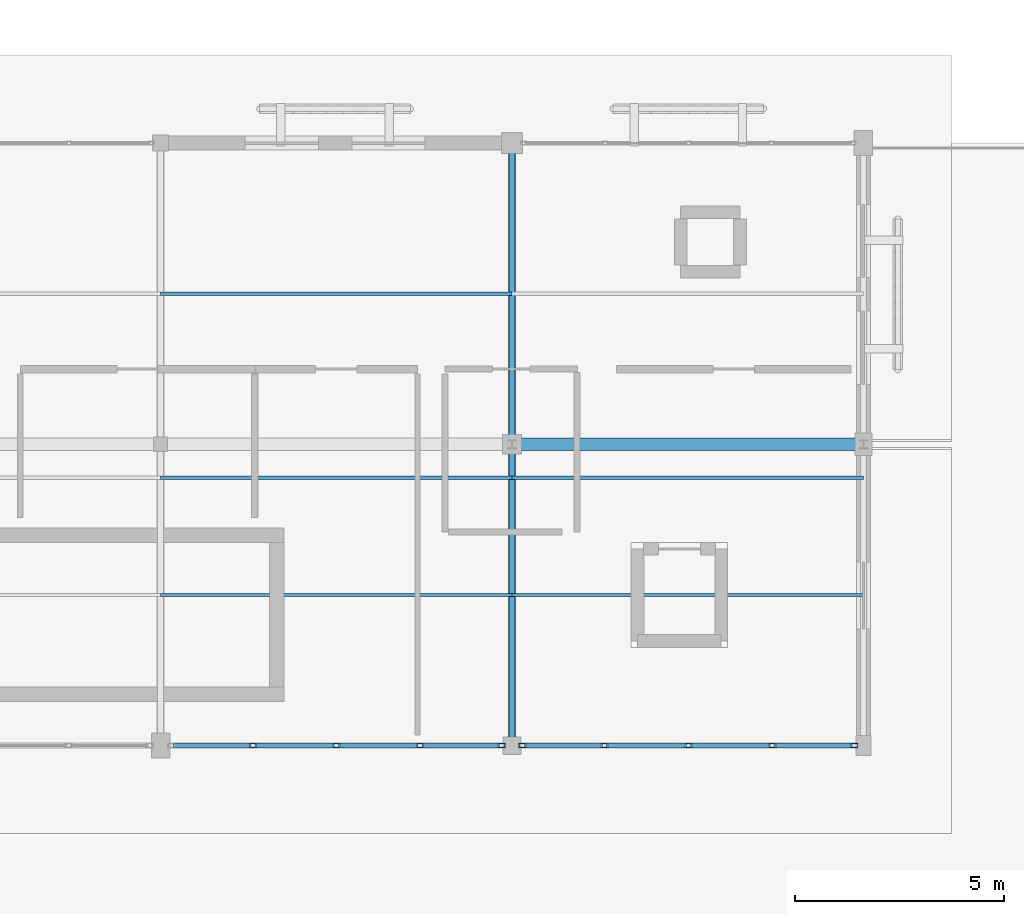
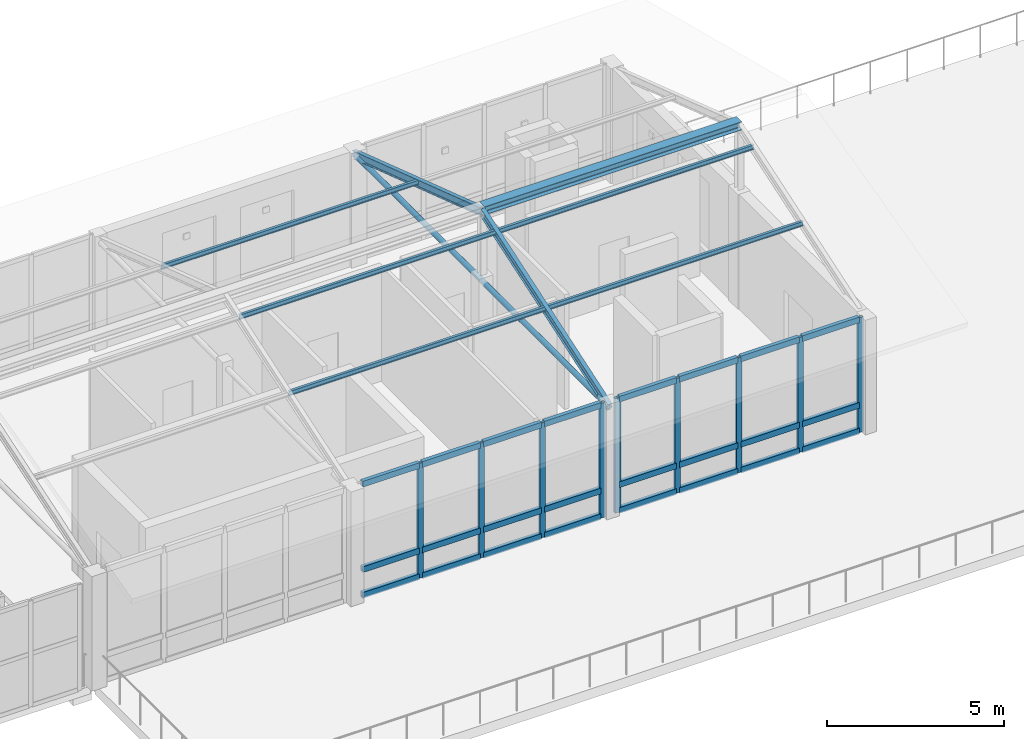
# One storey, part 38 of 112: 41 members, 1 beam, 2 elements without a shape of their own.
"""IFC4 building model written with IfcOpenShell, lengths in metres."""

from ifc_helpers import new_model, si_unit, direction, frame, origin, origin_2d, place, context, subcontext, project, spatial, hollow_rectangle, hollow_circle, i_section, extrude, material, layer, layer_set, material_profile, profile_set, type_object, element, aggregate, save


model = new_model("IFC4")

# Units and contexts
model_context = context("Model", 3, precision=1e-05, world=origin(), true_north=direction((0.0, 1.0)))
body_context = subcontext(model_context, "Body", "Model", "MODEL_VIEW")
ifc_project = project(units=[si_unit("LENGTHUNIT", "METRE"), si_unit("AREAUNIT", "SQUARE_METRE"), si_unit("VOLUMEUNIT", "CUBIC_METRE"), si_unit("PLANEANGLEUNIT", "RADIAN"), si_unit("MASSUNIT", "GRAM", prefix="KILO")], contexts=[model_context])

# Site, building, storey
site_placement = place(None, origin())
site = spatial("IfcSite", under=ifc_project, at=site_placement, CompositionType="ELEMENT")
building_placement = place(site_placement, origin())
building = spatial("IfcBuilding", under=site, at=building_placement, Name="Mazaris Harbour Polytechnic", CompositionType="ELEMENT")
storey_placement = place(building_placement, frame((0.0, 0.0, 13.800048828125)))
storey = spatial("IfcBuildingStorey", under=building, at=storey_placement, Name="L03", CompositionType="ELEMENT", Elevation=13.800048828125)

# Curtain wall, members
ifc_material_1 = material(Name="Anodised Bronze Aluminium and Low-E Glass", Category="aluminium")
ifc_layer = layer(ifc_material_1, 0.179931640625, Name="Anodised Bronze Aluminium and Low-E Glass")
ifc_layer_set = layer_set([ifc_layer], Name="Anodised Bronze Aluminium and Low-E Glass")
curtain_wall_type = type_object("IfcCurtainWallType", Name="Harbour Colonnade Curtain Wall", PredefinedType="NOTDEFINED", material=ifc_layer_set)
curtain_wall_1_placement = place(storey_placement, origin())
curtain_wall_1 = element("IfcCurtainWall", 1, at=curtain_wall_1_placement, inside=storey, type_object=curtain_wall_type, Name="V3 L03 Curtain Wall 91", PredefinedType="NOTDEFINED")
ifc_material_2 = material(Name="Anodised Bronze Steel S355", Category="steel")
ifc_material_profile_1 = material_profile(ifc_material_2, hollow_rectangle(XDim=0.10009765625, YDim=0.179931640625, WallThickness=0.008056640625, at=origin_2d()), Name="RHS 100x180x8.0")
ifc_profile_set_1 = profile_set([ifc_material_profile_1], Name="Anodised Bronze Steel S355")
member_type_1 = type_object("IfcMemberType", Name="Curtain Mullion RHS100x180", PredefinedType="MULLION", material=ifc_profile_set_1)
member_1_placement = place(storey_placement, frame((70.548095703125, 21.60009765625, 0.0), z_axis=(0.0, 0.0, 1.0), x_axis=(0.0, -1.0, 0.0)))
member_1 = element("IfcMember", 2, at=member_1_placement, type_object=member_type_1, Name="CW-01 mullion 1", PredefinedType="MULLION", context=body_context, shape_type="SweptSolid", body=[
    extrude(hollow_rectangle(XDim=0.10009765625, YDim=0.179931640625, WallThickness=0.008056640625, at=origin_2d()), origin(), (0.0, 0.0, 1.0), 3.9599609375),
])
member_2_placement = place(storey_placement, frame((68.6015625, 21.60009765625, 0.0), z_axis=(0.0, 0.0, 1.0), x_axis=(0.0, -1.0, 0.0)))
member_2 = element("IfcMember", 3, at=member_2_placement, type_object=member_type_1, Name="CW-01 mullion 2", PredefinedType="MULLION", context=body_context, shape_type="SweptSolid", body=[
    extrude(hollow_rectangle(XDim=0.10009765625, YDim=0.179931640625, WallThickness=0.008056640625, at=origin_2d()), origin(), (0.0, 0.0, 1.0), 3.9599609375),
])
member_3_placement = place(storey_placement, frame((66.60498046875, 21.60009765625, 0.0), z_axis=(0.0, 0.0, 1.0), x_axis=(0.0, -1.0, 0.0)))
member_3 = element("IfcMember", 4, at=member_3_placement, type_object=member_type_1, Name="CW-01 mullion 3", PredefinedType="MULLION", context=body_context, shape_type="SweptSolid", body=[
    extrude(hollow_rectangle(XDim=0.10009765625, YDim=0.179931640625, WallThickness=0.008056640625, at=origin_2d()), origin(), (0.0, 0.0, 1.0), 3.9599609375),
])
member_4_placement = place(storey_placement, frame((64.6083984375, 21.60009765625, 0.0), z_axis=(0.0, 0.0, 1.0), x_axis=(0.0, -1.0, 0.0)))
member_4 = element("IfcMember", 5, at=member_4_placement, type_object=member_type_1, Name="CW-01 mullion 4", PredefinedType="MULLION", context=body_context, shape_type="SweptSolid", body=[
    extrude(hollow_rectangle(XDim=0.10009765625, YDim=0.179931640625, WallThickness=0.008056640625, at=origin_2d()), origin(), (0.0, 0.0, 1.0), 3.9599609375),
])

curtain_wall_2_placement = place(storey_placement, origin())
curtain_wall_2 = element("IfcCurtainWall", 6, at=curtain_wall_2_placement, inside=storey, type_object=curtain_wall_type, Name="V3 L03 Curtain Wall 92", PredefinedType="NOTDEFINED")
member_5_placement = place(storey_placement, frame((78.97802734375, 21.60009765625, 0.0), z_axis=(0.0, 0.0, 1.0), x_axis=(0.0, -1.0, 0.0)))
member_5 = element("IfcMember", 7, at=member_5_placement, type_object=member_type_1, Name="CW-01 mullion 1", PredefinedType="MULLION", context=body_context, shape_type="SweptSolid", body=[
    extrude(hollow_rectangle(XDim=0.10009765625, YDim=0.179931640625, WallThickness=0.008056640625, at=origin_2d()), origin(), (0.0, 0.0, 1.0), 3.9599609375),
])
member_6_placement = place(storey_placement, frame((77.021484375, 21.60009765625, 0.0), z_axis=(0.0, 0.0, 1.0), x_axis=(0.0, -1.0, 0.0)))
member_6 = element("IfcMember", 8, at=member_6_placement, type_object=member_type_1, Name="CW-01 mullion 2", PredefinedType="MULLION", context=body_context, shape_type="SweptSolid", body=[
    extrude(hollow_rectangle(XDim=0.10009765625, YDim=0.179931640625, WallThickness=0.008056640625, at=origin_2d()), origin(), (0.0, 0.0, 1.0), 3.9599609375),
])
member_7_placement = place(storey_placement, frame((75.014892578125, 21.60009765625, 0.0), z_axis=(0.0, 0.0, 1.0), x_axis=(0.0, -1.0, 0.0)))
member_7 = element("IfcMember", 9, at=member_7_placement, type_object=member_type_1, Name="CW-01 mullion 3", PredefinedType="MULLION", context=body_context, shape_type="SweptSolid", body=[
    extrude(hollow_rectangle(XDim=0.10009765625, YDim=0.179931640625, WallThickness=0.008056640625, at=origin_2d()), origin(), (0.0, 0.0, 1.0), 3.9599609375),
])
member_8_placement = place(storey_placement, frame((73.008544921875, 21.60009765625, 0.0), z_axis=(0.0, 0.0, 1.0), x_axis=(0.0, -1.0, 0.0)))
member_8 = element("IfcMember", 10, at=member_8_placement, type_object=member_type_1, Name="CW-01 mullion 4", PredefinedType="MULLION", context=body_context, shape_type="SweptSolid", body=[
    extrude(hollow_rectangle(XDim=0.10009765625, YDim=0.179931640625, WallThickness=0.008056640625, at=origin_2d()), origin(), (0.0, 0.0, 1.0), 3.9599609375),
])
member_9_placement = place(storey_placement, frame((71.052001953125, 21.60009765625, 0.0), z_axis=(0.0, 0.0, 1.0), x_axis=(0.0, -1.0, 0.0)))
member_9 = element("IfcMember", 11, at=member_9_placement, type_object=member_type_1, Name="CW-01 mullion 5", PredefinedType="MULLION", context=body_context, shape_type="SweptSolid", body=[
    extrude(hollow_rectangle(XDim=0.10009765625, YDim=0.179931640625, WallThickness=0.008056640625, at=origin_2d()), origin(), (0.0, 0.0, 1.0), 3.9599609375),
])

# Member
ifc_material_3 = material(Name="Anodised Bronze Steel S355", Category="steel")
ifc_material_profile_2 = material_profile(ifc_material_3, hollow_rectangle(XDim=0.1201171875, YDim=0.199951171875, WallThickness=0.008056640625, at=origin_2d()), Name="RHS 120x200x8.0")
ifc_profile_set_2 = profile_set([ifc_material_profile_2], Name="Anodised Bronze Steel S355")
member_type_2 = type_object("IfcMemberType", Name="Curtain Transom RHS120x200", PredefinedType="USERDEFINED", material=ifc_profile_set_2)
member_10_placement = place(storey_placement, frame((70.498046875, 21.60009765625, 0.06005859375), z_axis=(-1.0, 0.0, 0.0), x_axis=(0.0, -1.0, 0.0)))
member_10 = element("IfcMember", 12, at=member_10_placement, type_object=member_type_2, Name="CW-01 transom 1.1", ObjectType="TRANSOM", PredefinedType="USERDEFINED", context=body_context, shape_type="SweptSolid", body=[
    extrude(hollow_rectangle(XDim=0.1201171875, YDim=0.199951171875, WallThickness=0.008056640625, at=origin_2d()), origin(), (0.0, 0.0, 1.0), 1.846435546875),
])

member_11_placement = place(storey_placement, frame((70.498046875, 21.60009765625, 0.949951171875), z_axis=(-1.0, 0.0, 0.0), x_axis=(0.0, -1.0, 0.0)))
member_11 = element("IfcMember", 13, at=member_11_placement, type_object=member_type_2, Name="CW-01 transom 1.2", ObjectType="TRANSOM", PredefinedType="USERDEFINED", context=body_context, shape_type="SweptSolid", body=[
    extrude(hollow_rectangle(XDim=0.1201171875, YDim=0.199951171875, WallThickness=0.008056640625, at=origin_2d()), origin(), (0.0, 0.0, 1.0), 1.846435546875),
])

member_12_placement = place(storey_placement, frame((70.498046875, 21.60009765625, 3.89990234375), z_axis=(-1.0, 0.0, 0.0), x_axis=(0.0, -1.0, 0.0)))
member_12 = element("IfcMember", 14, at=member_12_placement, type_object=member_type_2, Name="CW-01 transom 1.3", ObjectType="TRANSOM", PredefinedType="USERDEFINED", context=body_context, shape_type="SweptSolid", body=[
    extrude(hollow_rectangle(XDim=0.1201171875, YDim=0.199951171875, WallThickness=0.008056640625, at=origin_2d()), origin(), (0.0, 0.0, 1.0), 1.846435546875),
])

member_13_placement = place(storey_placement, frame((68.551513671875, 21.60009765625, 0.06005859375), z_axis=(-1.0, 0.0, 0.0), x_axis=(0.0, -1.0, 0.0)))
member_13 = element("IfcMember", 15, at=member_13_placement, type_object=member_type_2, Name="CW-01 transom 2.1", ObjectType="TRANSOM", PredefinedType="USERDEFINED", context=body_context, shape_type="SweptSolid", body=[
    extrude(hollow_rectangle(XDim=0.1201171875, YDim=0.199951171875, WallThickness=0.008056640625, at=origin_2d()), origin(), (0.0, 0.0, 1.0), 1.896484375),
])

member_14_placement = place(storey_placement, frame((68.551513671875, 21.60009765625, 0.949951171875), z_axis=(-1.0, 0.0, 0.0), x_axis=(0.0, -1.0, 0.0)))
member_14 = element("IfcMember", 16, at=member_14_placement, type_object=member_type_2, Name="CW-01 transom 2.2", ObjectType="TRANSOM", PredefinedType="USERDEFINED", context=body_context, shape_type="SweptSolid", body=[
    extrude(hollow_rectangle(XDim=0.1201171875, YDim=0.199951171875, WallThickness=0.008056640625, at=origin_2d()), origin(), (0.0, 0.0, 1.0), 1.896484375),
])

member_15_placement = place(storey_placement, frame((68.551513671875, 21.60009765625, 3.89990234375), z_axis=(-1.0, 0.0, 0.0), x_axis=(0.0, -1.0, 0.0)))
member_15 = element("IfcMember", 17, at=member_15_placement, type_object=member_type_2, Name="CW-01 transom 2.3", ObjectType="TRANSOM", PredefinedType="USERDEFINED", context=body_context, shape_type="SweptSolid", body=[
    extrude(hollow_rectangle(XDim=0.1201171875, YDim=0.199951171875, WallThickness=0.008056640625, at=origin_2d()), origin(), (0.0, 0.0, 1.0), 1.896484375),
])

member_16_placement = place(storey_placement, frame((66.554931640625, 21.60009765625, 0.06005859375), z_axis=(-1.0, 0.0, 0.0), x_axis=(0.0, -1.0, 0.0)))
member_16 = element("IfcMember", 18, at=member_16_placement, type_object=member_type_2, Name="CW-01 transom 3.1", ObjectType="TRANSOM", PredefinedType="USERDEFINED", context=body_context, shape_type="SweptSolid", body=[
    extrude(hollow_rectangle(XDim=0.1201171875, YDim=0.199951171875, WallThickness=0.008056640625, at=origin_2d()), origin(), (0.0, 0.0, 1.0), 1.896484375),
])

member_17_placement = place(storey_placement, frame((66.554931640625, 21.60009765625, 0.949951171875), z_axis=(-1.0, 0.0, 0.0), x_axis=(0.0, -1.0, 0.0)))
member_17 = element("IfcMember", 19, at=member_17_placement, type_object=member_type_2, Name="CW-01 transom 3.2", ObjectType="TRANSOM", PredefinedType="USERDEFINED", context=body_context, shape_type="SweptSolid", body=[
    extrude(hollow_rectangle(XDim=0.1201171875, YDim=0.199951171875, WallThickness=0.008056640625, at=origin_2d()), origin(), (0.0, 0.0, 1.0), 1.896484375),
])

member_18_placement = place(storey_placement, frame((66.554931640625, 21.60009765625, 3.89990234375), z_axis=(-1.0, 0.0, 0.0), x_axis=(0.0, -1.0, 0.0)))
member_18 = element("IfcMember", 20, at=member_18_placement, type_object=member_type_2, Name="CW-01 transom 3.3", ObjectType="TRANSOM", PredefinedType="USERDEFINED", context=body_context, shape_type="SweptSolid", body=[
    extrude(hollow_rectangle(XDim=0.1201171875, YDim=0.199951171875, WallThickness=0.008056640625, at=origin_2d()), origin(), (0.0, 0.0, 1.0), 1.896484375),
])

member_19_placement = place(storey_placement, frame((64.55859375, 21.60009765625, 0.06005859375), z_axis=(-1.0, 0.0, 0.0), x_axis=(0.0, -1.0, 0.0)))
member_19 = element("IfcMember", 21, at=member_19_placement, type_object=member_type_2, Name="CW-01 transom 4.1", ObjectType="TRANSOM", PredefinedType="USERDEFINED", context=body_context, shape_type="SweptSolid", body=[
    extrude(hollow_rectangle(XDim=0.1201171875, YDim=0.199951171875, WallThickness=0.008056640625, at=origin_2d()), origin(), (0.0, 0.0, 1.0), 1.8466796875),
])

member_20_placement = place(storey_placement, frame((64.55859375, 21.60009765625, 0.949951171875), z_axis=(-1.0, 0.0, 0.0), x_axis=(0.0, -1.0, 0.0)))
member_20 = element("IfcMember", 22, at=member_20_placement, type_object=member_type_2, Name="CW-01 transom 4.2", ObjectType="TRANSOM", PredefinedType="USERDEFINED", context=body_context, shape_type="SweptSolid", body=[
    extrude(hollow_rectangle(XDim=0.1201171875, YDim=0.199951171875, WallThickness=0.008056640625, at=origin_2d()), origin(), (0.0, 0.0, 1.0), 1.8466796875),
])

member_21_placement = place(storey_placement, frame((64.55859375, 21.60009765625, 3.89990234375), z_axis=(-1.0, 0.0, 0.0), x_axis=(0.0, -1.0, 0.0)))
member_21 = element("IfcMember", 23, at=member_21_placement, type_object=member_type_2, Name="CW-01 transom 4.3", ObjectType="TRANSOM", PredefinedType="USERDEFINED", context=body_context, shape_type="SweptSolid", body=[
    extrude(hollow_rectangle(XDim=0.1201171875, YDim=0.199951171875, WallThickness=0.008056640625, at=origin_2d()), origin(), (0.0, 0.0, 1.0), 1.8466796875),
])

aggregate(curtain_wall_1, [member_1, member_2, member_3, member_4, member_10, member_11, member_12, member_13, member_14, member_15, member_16, member_17, member_18, member_19, member_20, member_21])

member_22_placement = place(storey_placement, frame((78.927978515625, 21.60009765625, 0.06005859375), z_axis=(-1.0, 0.0, 0.0), x_axis=(0.0, -1.0, 0.0)))
member_22 = element("IfcMember", 24, at=member_22_placement, type_object=member_type_2, Name="CW-01 transom 1.1", ObjectType="TRANSOM", PredefinedType="USERDEFINED", context=body_context, shape_type="SweptSolid", body=[
    extrude(hollow_rectangle(XDim=0.1201171875, YDim=0.199951171875, WallThickness=0.008056640625, at=origin_2d()), origin(), (0.0, 0.0, 1.0), 1.8564453125),
])

member_23_placement = place(storey_placement, frame((78.927978515625, 21.60009765625, 0.949951171875), z_axis=(-1.0, 0.0, 0.0), x_axis=(0.0, -1.0, 0.0)))
member_23 = element("IfcMember", 25, at=member_23_placement, type_object=member_type_2, Name="CW-01 transom 1.2", ObjectType="TRANSOM", PredefinedType="USERDEFINED", context=body_context, shape_type="SweptSolid", body=[
    extrude(hollow_rectangle(XDim=0.1201171875, YDim=0.199951171875, WallThickness=0.008056640625, at=origin_2d()), origin(), (0.0, 0.0, 1.0), 1.8564453125),
])

member_24_placement = place(storey_placement, frame((78.927978515625, 21.60009765625, 3.89990234375), z_axis=(-1.0, 0.0, 0.0), x_axis=(0.0, -1.0, 0.0)))
member_24 = element("IfcMember", 26, at=member_24_placement, type_object=member_type_2, Name="CW-01 transom 1.3", ObjectType="TRANSOM", PredefinedType="USERDEFINED", context=body_context, shape_type="SweptSolid", body=[
    extrude(hollow_rectangle(XDim=0.1201171875, YDim=0.199951171875, WallThickness=0.008056640625, at=origin_2d()), origin(), (0.0, 0.0, 1.0), 1.8564453125),
])

member_25_placement = place(storey_placement, frame((76.971435546875, 21.60009765625, 0.06005859375), z_axis=(-1.0, 0.0, 0.0), x_axis=(0.0, -1.0, 0.0)))
member_25 = element("IfcMember", 27, at=member_25_placement, type_object=member_type_2, Name="CW-01 transom 2.1", ObjectType="TRANSOM", PredefinedType="USERDEFINED", context=body_context, shape_type="SweptSolid", body=[
    extrude(hollow_rectangle(XDim=0.1201171875, YDim=0.199951171875, WallThickness=0.008056640625, at=origin_2d()), origin(), (0.0, 0.0, 1.0), 1.906494140625),
])

member_26_placement = place(storey_placement, frame((76.971435546875, 21.60009765625, 0.949951171875), z_axis=(-1.0, 0.0, 0.0), x_axis=(0.0, -1.0, 0.0)))
member_26 = element("IfcMember", 28, at=member_26_placement, type_object=member_type_2, Name="CW-01 transom 2.2", ObjectType="TRANSOM", PredefinedType="USERDEFINED", context=body_context, shape_type="SweptSolid", body=[
    extrude(hollow_rectangle(XDim=0.1201171875, YDim=0.199951171875, WallThickness=0.008056640625, at=origin_2d()), origin(), (0.0, 0.0, 1.0), 1.906494140625),
])

member_27_placement = place(storey_placement, frame((76.971435546875, 21.60009765625, 3.89990234375), z_axis=(-1.0, 0.0, 0.0), x_axis=(0.0, -1.0, 0.0)))
member_27 = element("IfcMember", 29, at=member_27_placement, type_object=member_type_2, Name="CW-01 transom 2.3", ObjectType="TRANSOM", PredefinedType="USERDEFINED", context=body_context, shape_type="SweptSolid", body=[
    extrude(hollow_rectangle(XDim=0.1201171875, YDim=0.199951171875, WallThickness=0.008056640625, at=origin_2d()), origin(), (0.0, 0.0, 1.0), 1.906494140625),
])

member_28_placement = place(storey_placement, frame((74.965087890625, 21.60009765625, 0.06005859375), z_axis=(-1.0, 0.0, 0.0), x_axis=(0.0, -1.0, 0.0)))
member_28 = element("IfcMember", 30, at=member_28_placement, type_object=member_type_2, Name="CW-01 transom 3.1", ObjectType="TRANSOM", PredefinedType="USERDEFINED", context=body_context, shape_type="SweptSolid", body=[
    extrude(hollow_rectangle(XDim=0.1201171875, YDim=0.199951171875, WallThickness=0.008056640625, at=origin_2d()), origin(), (0.0, 0.0, 1.0), 1.906494140625),
])

member_29_placement = place(storey_placement, frame((74.965087890625, 21.60009765625, 0.949951171875), z_axis=(-1.0, 0.0, 0.0), x_axis=(0.0, -1.0, 0.0)))
member_29 = element("IfcMember", 31, at=member_29_placement, type_object=member_type_2, Name="CW-01 transom 3.2", ObjectType="TRANSOM", PredefinedType="USERDEFINED", context=body_context, shape_type="SweptSolid", body=[
    extrude(hollow_rectangle(XDim=0.1201171875, YDim=0.199951171875, WallThickness=0.008056640625, at=origin_2d()), origin(), (0.0, 0.0, 1.0), 1.906494140625),
])

member_30_placement = place(storey_placement, frame((74.965087890625, 21.60009765625, 3.89990234375), z_axis=(-1.0, 0.0, 0.0), x_axis=(0.0, -1.0, 0.0)))
member_30 = element("IfcMember", 32, at=member_30_placement, type_object=member_type_2, Name="CW-01 transom 3.3", ObjectType="TRANSOM", PredefinedType="USERDEFINED", context=body_context, shape_type="SweptSolid", body=[
    extrude(hollow_rectangle(XDim=0.1201171875, YDim=0.199951171875, WallThickness=0.008056640625, at=origin_2d()), origin(), (0.0, 0.0, 1.0), 1.906494140625),
])

member_31_placement = place(storey_placement, frame((72.95849609375, 21.60009765625, 0.06005859375), z_axis=(-1.0, 0.0, 0.0), x_axis=(0.0, -1.0, 0.0)))
member_31 = element("IfcMember", 33, at=member_31_placement, type_object=member_type_2, Name="CW-01 transom 4.1", ObjectType="TRANSOM", PredefinedType="USERDEFINED", context=body_context, shape_type="SweptSolid", body=[
    extrude(hollow_rectangle(XDim=0.1201171875, YDim=0.199951171875, WallThickness=0.008056640625, at=origin_2d()), origin(), (0.0, 0.0, 1.0), 1.8564453125),
])

member_32_placement = place(storey_placement, frame((72.95849609375, 21.60009765625, 0.949951171875), z_axis=(-1.0, 0.0, 0.0), x_axis=(0.0, -1.0, 0.0)))
member_32 = element("IfcMember", 34, at=member_32_placement, type_object=member_type_2, Name="CW-01 transom 4.2", ObjectType="TRANSOM", PredefinedType="USERDEFINED", context=body_context, shape_type="SweptSolid", body=[
    extrude(hollow_rectangle(XDim=0.1201171875, YDim=0.199951171875, WallThickness=0.008056640625, at=origin_2d()), origin(), (0.0, 0.0, 1.0), 1.8564453125),
])

member_33_placement = place(storey_placement, frame((72.95849609375, 21.60009765625, 3.89990234375), z_axis=(-1.0, 0.0, 0.0), x_axis=(0.0, -1.0, 0.0)))
member_33 = element("IfcMember", 35, at=member_33_placement, type_object=member_type_2, Name="CW-01 transom 4.3", ObjectType="TRANSOM", PredefinedType="USERDEFINED", context=body_context, shape_type="SweptSolid", body=[
    extrude(hollow_rectangle(XDim=0.1201171875, YDim=0.199951171875, WallThickness=0.008056640625, at=origin_2d()), origin(), (0.0, 0.0, 1.0), 1.8564453125),
])

aggregate(curtain_wall_2, [member_5, member_6, member_7, member_8, member_9, member_22, member_23, member_24, member_25, member_26, member_27, member_28, member_29, member_30, member_31, member_32, member_33])

# Beam
ifc_material_4 = material(Name="Steel S355", Category="steel")
ifc_material_profile_3 = material_profile(ifc_material_4, i_section(OverallWidth=0.300048828125, OverallDepth=0.2900390625, WebThickness=0.008544921875, FlangeThickness=0.013916015625, FilletRadius=0.027099609375, at=origin_2d()), Name="HEA 300")
ifc_profile_set_3 = profile_set([ifc_material_profile_3], Name="Steel S355")
beam_type = type_object("IfcBeamType", Name="Steel Beam HEA300", PredefinedType="SPANDREL", material=ifc_profile_set_3)
beam_placement = place(storey_placement, frame((70.800048828125, 28.800048828125, 6.195068359375), z_axis=(1.0, 0.0, 0.0), x_axis=(0.0, 1.0, 0.0)))
element("IfcBeam", 36, at=beam_placement, inside=storey, type_object=beam_type, Name="V3 Pavilion Ridge Girder 70.8", PredefinedType="SPANDREL", context=body_context, shape_type="SweptSolid", body=[
    extrude(i_section(OverallWidth=0.300048828125, OverallDepth=0.2900390625, WebThickness=0.008544921875, FlangeThickness=0.013916015625, FilletRadius=0.027099609375, at=origin_2d()), origin(), (0.0, 0.0, 1.0), 8.39990234375),
])

# Members
ifc_material_5 = material(Name="Steel S355", Category="steel")
ifc_material_profile_4 = material_profile(ifc_material_5, i_section(OverallWidth=0.08203125, OverallDepth=0.159912109375, WebThickness=0.0048828125, FlangeThickness=0.00732421875, FilletRadius=0.009033203125, at=origin_2d()), Name="IPE 160")
ifc_profile_set_4 = profile_set([ifc_material_profile_4], Name="Steel S355")
member_type_3 = type_object("IfcMemberType", Name="Steel Purlin IPE160", PredefinedType="PURLIN", material=ifc_profile_set_4)
for number, where, z_axis, x_axis, name in (
    (37, (62.39990234375, 25.199951171875, 4.93994140625), (1.0, 0.0, 0.0), (0.0, 1.0, 0.0), "V3 Roof Purlin 181"),
    (38, (62.39990234375, 28.0, 5.8798828125), (1.0, 0.0, 0.0), (0.0, 1.0, 0.0), "V3 Roof Purlin 182"),
    (39, (62.39990234375, 32.39990234375, 4.93994140625), (1.0, 0.0, 0.0), (0.0, 1.0, 0.0), "V3 Roof Purlin 183"),
):
    element("IfcMember", number, at=place(storey_placement, frame(where, z_axis=z_axis, x_axis=x_axis)), inside=storey, type_object=member_type_3, Name=name, PredefinedType="PURLIN", context=body_context, shape_type="SweptSolid", body=[
        extrude(i_section(OverallWidth=0.08203125, OverallDepth=0.159912109375, WebThickness=0.0048828125, FlangeThickness=0.00732421875, FilletRadius=0.009033203125, at=origin_2d()), origin(), (0.0, 0.0, 1.0), 8.400146484375),
    ])
for number, where, z_axis, x_axis, name in (
    (40, (70.800048828125, 25.199951171875, 4.93994140625), (1.0, 0.0, 0.0), (0.0, 1.0, 0.0), "V3 Roof Purlin 184"),
    (41, (70.800048828125, 28.0, 5.8798828125), (1.0, 0.0, 0.0), (0.0, 1.0, 0.0), "V3 Roof Purlin 185"),
):
    element("IfcMember", number, at=place(storey_placement, frame(where, z_axis=z_axis, x_axis=x_axis)), inside=storey, type_object=member_type_3, Name=name, PredefinedType="PURLIN", context=body_context, shape_type="SweptSolid", body=[
        extrude(i_section(OverallWidth=0.08203125, OverallDepth=0.159912109375, WebThickness=0.0048828125, FlangeThickness=0.00732421875, FilletRadius=0.009033203125, at=origin_2d()), origin(), (0.0, 0.0, 1.0), 8.39990234375),
    ])
ifc_material_6 = material(Name="Steel S355", Category="steel")
ifc_material_profile_5 = material_profile(ifc_material_6, i_section(OverallWidth=0.135009765625, OverallDepth=0.27001953125, WebThickness=0.006591796875, FlangeThickness=0.01025390625, FilletRadius=0.014892578125, at=origin_2d()), Name="IPE 270")
ifc_profile_set_5 = profile_set([ifc_material_profile_5], Name="Steel S355")
member_type_4 = type_object("IfcMemberType", Name="Steel Rafter IPE270", PredefinedType="RAFTER", material=ifc_profile_set_5)
for number, where, z_axis, x_axis, name in (
    (42, (70.800048828125, 21.60009765625, 3.699951171875), (0.0, 0.948686514869, 0.316218115397), (-1.0, 0.0, 0.0), "V3 Pavilion South Rafter 10"),
    (43, (70.800048828125, 28.800048828125, 6.099853515625), (0.0, 0.948686514869, -0.316218115397), (-1.0, 0.0, 0.0), "V3 Pavilion North Rafter 10"),
):
    element("IfcMember", number, at=place(storey_placement, frame(where, z_axis=z_axis, x_axis=x_axis)), inside=storey, type_object=member_type_4, Name=name, PredefinedType="RAFTER", context=body_context, shape_type="SweptSolid", body=[
        extrude(i_section(OverallWidth=0.135009765625, OverallDepth=0.27001953125, WebThickness=0.006591796875, FlangeThickness=0.01025390625, FilletRadius=0.014892578125, at=origin_2d()), origin(), (0.0, 0.0, 1.0), 7.58935546875),
    ])
ifc_material_7 = material(Name="Steel S355", Category="steel")
ifc_material_profile_6 = material_profile(ifc_material_7, hollow_circle(Radius=0.084228515625, WallThickness=0.008056640625, at=origin_2d()), Name="CHS 168.3x8.0")
ifc_profile_set_6 = profile_set([ifc_material_profile_6], Name="Steel S355")
member_type_5 = type_object("IfcMemberType", Name="Steel Truss Strut CHS168", PredefinedType="STRUT", material=ifc_profile_set_6)
member_34_placement = place(storey_placement, frame((70.800048828125, 21.60009765625, 3.699951171875), z_axis=(0.0, 1.0, 0.0), x_axis=(-1.0, 0.0, 0.0)))
element("IfcMember", 44, at=member_34_placement, inside=storey, type_object=member_type_5, Name="V3 Pavilion Tie 10", PredefinedType="STRUT", context=body_context, shape_type="SweptSolid", body=[
    extrude(hollow_circle(Radius=0.084228515625, WallThickness=0.008056640625, at=origin_2d()), origin(), (0.0, 0.0, 1.0), 14.39990234375),
])

save(model, "model.ifc")
